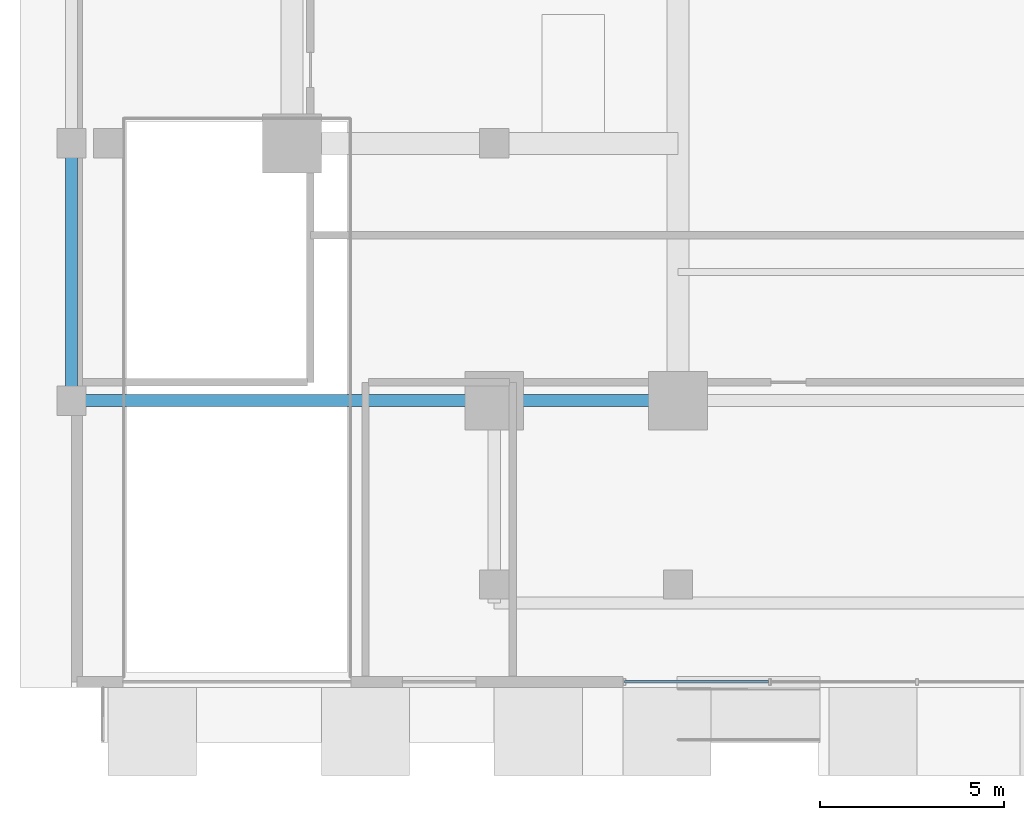
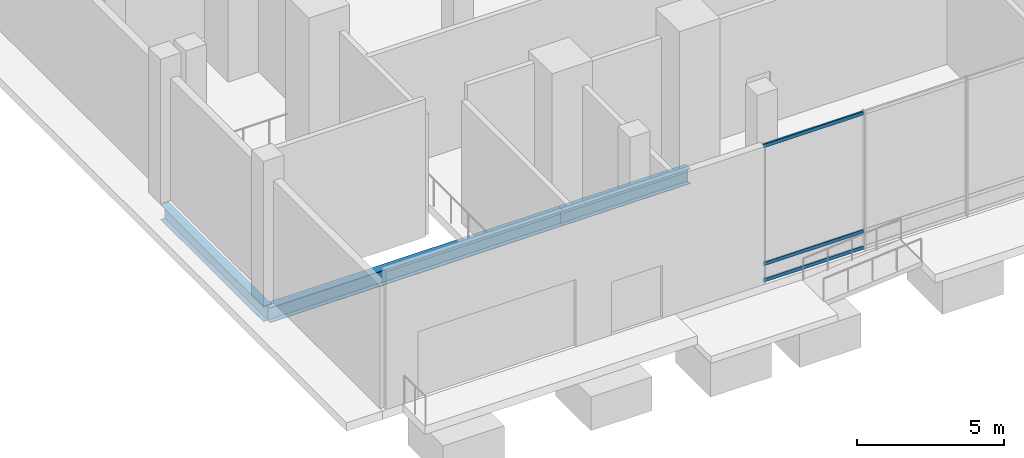
# One storey, part 4 of 34: 3 beams, 3 members, 1 element without a shape of its own.
"""IFC4 building model written with IfcOpenShell, lengths in metres."""

from ifc_helpers import new_model, si_unit, direction, frame, origin, origin_2d, place, context, subcontext, project, spatial, hollow_rectangle, i_section, extrude, material, layer, layer_set, material_profile, profile_set, type_object, element, aggregate, save


model = new_model("IFC4")

# Units and contexts
model_context = context("Model", 3, precision=1e-05, world=origin(), true_north=direction((0.0, 1.0)))
body_context = subcontext(model_context, "Body", "Model", "MODEL_VIEW")
ifc_project = project(units=[si_unit("LENGTHUNIT", "METRE"), si_unit("AREAUNIT", "SQUARE_METRE"), si_unit("VOLUMEUNIT", "CUBIC_METRE"), si_unit("PLANEANGLEUNIT", "RADIAN"), si_unit("MASSUNIT", "GRAM", prefix="KILO")], contexts=[model_context])

# Site, building, storey
site_placement = place(None, origin())
site = spatial("IfcSite", under=ifc_project, at=site_placement, CompositionType="ELEMENT")
building_placement = place(site_placement, origin())
building = spatial("IfcBuilding", under=site, at=building_placement, Name="Barlavira Tower and Art Museum", CompositionType="ELEMENT")
storey_placement = place(building_placement, origin())
storey = spatial("IfcBuildingStorey", under=building, at=storey_placement, Name="L00", CompositionType="ELEMENT", Elevation=0.0)

# Curtain wall, members
ifc_material_1 = material(Name="Low-iron coastal laminated glass", Category="glass")
ifc_layer = layer(ifc_material_1, 0.179931640625, Name="Low-iron coastal laminated glass")
ifc_layer_set = layer_set([ifc_layer], Name="Low-iron coastal laminated glass")
curtain_wall_type = type_object("IfcCurtainWallType", Name="Pale-Metal Unitised Curtain Wall Zone 1", PredefinedType="NOTDEFINED", material=ifc_layer_set)
curtain_wall_placement = place(storey_placement, origin())
curtain_wall = element("IfcCurtainWall", 1, at=curtain_wall_placement, inside=storey, type_object=curtain_wall_type, Name="L00 Curtain Wall CW1-L00-S", PredefinedType="NOTDEFINED")
ifc_material_2 = material(Name="Pale anodised aluminium", Category="aluminium")
ifc_material_profile_1 = material_profile(ifc_material_2, hollow_rectangle(XDim=0.06494140625, YDim=0.139892578125, WallThickness=0.00390625, at=origin_2d()), Name="ALU-TRAN 65x140x4")
ifc_profile_set_1 = profile_set([ifc_material_profile_1], Name="Pale anodised aluminium")
member_type = type_object("IfcMemberType", Name="Curtain Wall Pale-Metal Transom 65x140", PredefinedType="USERDEFINED", material=ifc_profile_set_1)
member_1_placement = place(storey_placement, frame((-7.955078125, -27.64990234375, 0.070068359375), z_axis=(1.0, 0.0, 0.0), x_axis=(0.0, 1.0, 0.0)))
member_1 = element("IfcMember", 2, at=member_1_placement, type_object=member_type, Name="CW1-L00-S Transom 0.1", ObjectType="TRANSOM", PredefinedType="USERDEFINED", context=body_context, shape_type="SweptSolid", body=[
    extrude(hollow_rectangle(XDim=0.06494140625, YDim=0.139892578125, WallThickness=0.00390625, at=origin_2d()), origin(), (0.0, 0.0, 1.0), 3.91015625),
])
member_2_placement = place(storey_placement, frame((-7.955078125, -27.64990234375, 0.75), z_axis=(1.0, 0.0, 0.0), x_axis=(0.0, 1.0, 0.0)))
member_2 = element("IfcMember", 3, at=member_2_placement, type_object=member_type, Name="CW1-L00-S Transom 0.2", ObjectType="TRANSOM", PredefinedType="USERDEFINED", context=body_context, shape_type="SweptSolid", body=[
    extrude(hollow_rectangle(XDim=0.06494140625, YDim=0.139892578125, WallThickness=0.00390625, at=origin_2d()), origin(), (0.0, 0.0, 1.0), 3.91015625),
])
member_3_placement = place(storey_placement, frame((-7.955078125, -27.64990234375, 5.64990234375), z_axis=(1.0, 0.0, 0.0), x_axis=(0.0, 1.0, 0.0)))
member_3 = element("IfcMember", 4, at=member_3_placement, type_object=member_type, Name="CW1-L00-S Transom 0.3", ObjectType="TRANSOM", PredefinedType="USERDEFINED", context=body_context, shape_type="SweptSolid", body=[
    extrude(hollow_rectangle(XDim=0.06494140625, YDim=0.139892578125, WallThickness=0.00390625, at=origin_2d()), origin(), (0.0, 0.0, 1.0), 3.91015625),
])
aggregate(curtain_wall, [member_1, member_2, member_3])

# Beams
ifc_material_3 = material(Name="Steel S355", Category="steel")
ifc_material_profile_2 = material_profile(ifc_material_3, i_section(OverallWidth=0.327880859375, OverallDepth=0.62890625, WebThickness=0.013916015625, FlangeThickness=0.021484375, at=origin_2d()), Name="W610x174.0")
ifc_profile_set_2 = profile_set([ifc_material_profile_2], Name="Steel S355")
beam_type = type_object("IfcBeamType", Name="Perimeter Spandrel Edge Beam W610x174 Steel S355", PredefinedType="SPANDREL", material=ifc_profile_set_2)
beam_1_placement = place(storey_placement, frame((-23.0, -20.0, -0.66455078125), z_axis=(1.0, 0.0, 0.0), x_axis=(0.0, 1.0, 0.0)))
element("IfcBeam", 5, at=beam_1_placement, inside=storey, type_object=beam_type, Name="L00 Podium Spandrel PS1", PredefinedType="SPANDREL", context=body_context, shape_type="SweptSolid", body=[
    extrude(i_section(OverallWidth=0.327880859375, OverallDepth=0.62890625, WebThickness=0.013916015625, FlangeThickness=0.021484375, at=origin_2d()), origin(), (0.0, 0.0, 1.0), 11.5),
])
beam_2_placement = place(storey_placement, frame((-11.5, -20.0, -0.66455078125), z_axis=(1.0, 0.0, 0.0), x_axis=(0.0, 1.0, 0.0)))
element("IfcBeam", 6, at=beam_2_placement, inside=storey, type_object=beam_type, Name="L00 Podium Spandrel PS2", PredefinedType="SPANDREL", context=body_context, shape_type="SweptSolid", body=[
    extrude(i_section(OverallWidth=0.327880859375, OverallDepth=0.62890625, WebThickness=0.013916015625, FlangeThickness=0.021484375, at=origin_2d()), origin(), (0.0, 0.0, 1.0), 5.0),
])
beam_3_placement = place(storey_placement, frame((-23.0, -20.0, -0.66455078125), z_axis=(0.0, 1.0, 0.0), x_axis=(-1.0, 0.0, 0.0)))
element("IfcBeam", 7, at=beam_3_placement, inside=storey, type_object=beam_type, Name="L00 Podium Spandrel PW1", PredefinedType="SPANDREL", context=body_context, shape_type="SweptSolid", body=[
    extrude(i_section(OverallWidth=0.327880859375, OverallDepth=0.62890625, WebThickness=0.013916015625, FlangeThickness=0.021484375, at=origin_2d()), origin(), (0.0, 0.0, 1.0), 7.0),
])

save(model, "model.ifc")
